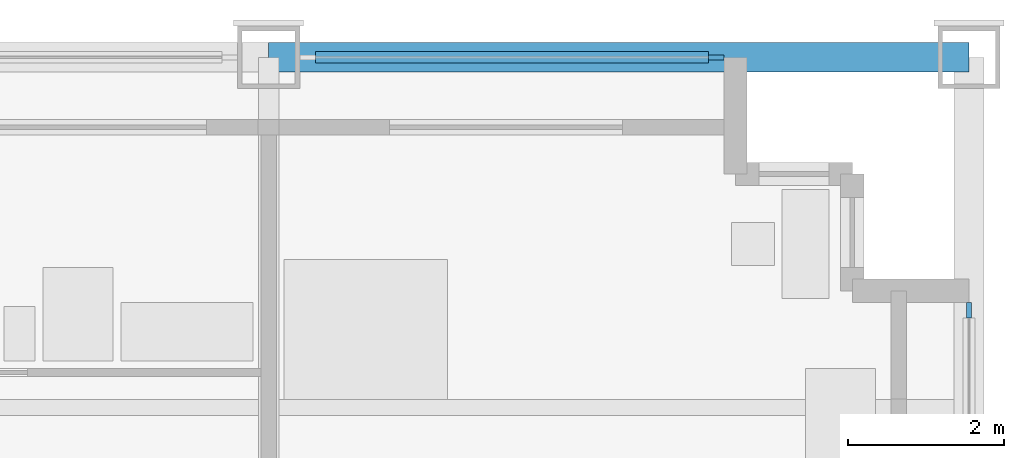
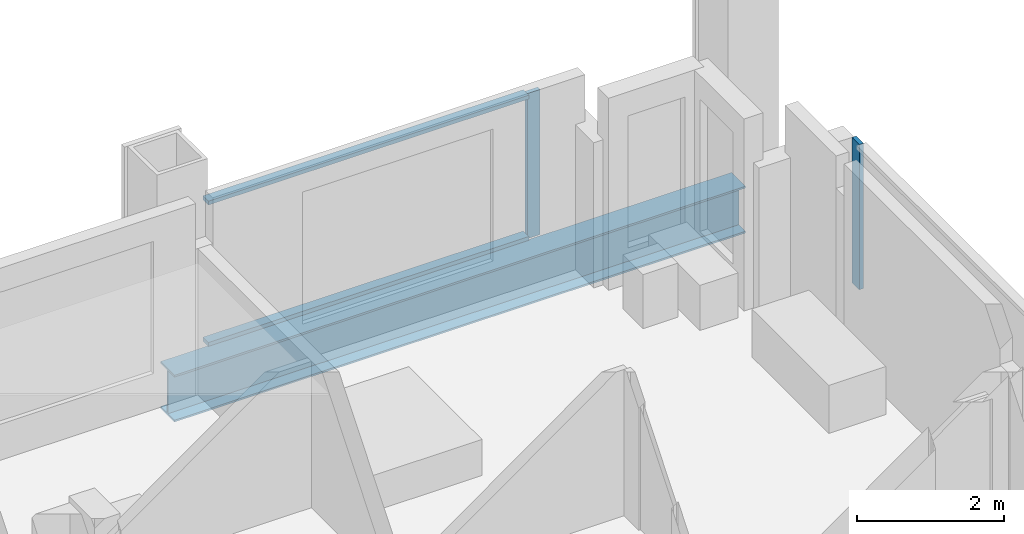
# One storey, part 7 of 16: 4 members, 1 beam, 2 elements without a shape of their own.
"""IFC4 building model written with IfcOpenShell, lengths in metres."""

from ifc_helpers import new_model, si_unit, direction, frame, origin, origin_2d, place, context, subcontext, project, spatial, rectangle, i_section, extrude, material, material_profile, profile_set, type_object, element, aggregate, save


model = new_model("IFC4")

# Units and contexts
model_context = context("Model", 3, precision=1e-05, world=origin(), true_north=direction((0.0, 1.0)))
body_context = subcontext(model_context, "Body", "Model", "MODEL_VIEW")
ifc_project = project(units=[si_unit("LENGTHUNIT", "METRE"), si_unit("AREAUNIT", "SQUARE_METRE"), si_unit("VOLUMEUNIT", "CUBIC_METRE"), si_unit("PLANEANGLEUNIT", "RADIAN"), si_unit("MASSUNIT", "GRAM", prefix="KILO")], contexts=[model_context])

# Site, building, storey
site_placement = place(None, origin())
site = spatial("IfcSite", under=ifc_project, at=site_placement, CompositionType="ELEMENT")
building_placement = place(site_placement, origin())
building = spatial("IfcBuilding", under=site, at=building_placement, Name="Loomwork Tower", CompositionType="ELEMENT")
storey_placement = place(building_placement, frame((0.0, 0.0, 135.0)))
storey = spatial("IfcBuildingStorey", under=building, at=storey_placement, Name="L36", CompositionType="ELEMENT", Elevation=135.0)

# Curtain wall, member
ifc_material_1 = material(Name="Aluminium curtain wall frame", Category="aluminium")
curtain_wall_type = type_object("IfcCurtainWallType", Name="Outer skin glazing hotel", PredefinedType="NOTDEFINED", material=ifc_material_1)
curtain_wall_1_placement = place(storey_placement, origin())
curtain_wall_1 = element("IfcCurtainWall", 1, at=curtain_wall_1_placement, inside=storey, type_object=curtain_wall_type, Name="Outer skin glazing hotel cw/N-36", PredefinedType="NOTDEFINED")
ifc_material_2 = material(Name="Aluminium curtain wall frame", Category="aluminium")
ifc_material_profile_1 = material_profile(ifc_material_2, rectangle(XDim=0.06494140625, YDim=0.199951171875, at=origin_2d()), Name="AL 65x200")
ifc_profile_set_1 = profile_set([ifc_material_profile_1], Name="Aluminium curtain wall frame")
member_type_1 = type_object("IfcMemberType", Name="Outer skin glazing hotel mullion", PredefinedType="MULLION", material=ifc_profile_set_1)
member_1_placement = place(storey_placement, frame((41.75, 36.0, 0.0), z_axis=(0.0, 0.0, 1.0), x_axis=(0.0, -1.0, 0.0)))
member_1 = element("IfcMember", 2, at=member_1_placement, type_object=member_type_1, Name="CW1 mullion 1", PredefinedType="MULLION", context=body_context, shape_type="SweptSolid", body=[
    extrude(rectangle(XDim=0.06494140625, YDim=0.199951171875, at=origin_2d()), origin(), (0.0, 0.0, 1.0), 2.420166015625),
])

curtain_wall_2_placement = place(storey_placement, origin())
curtain_wall_2 = element("IfcCurtainWall", 3, at=curtain_wall_2_placement, inside=storey, type_object=curtain_wall_type, Name="Outer skin glazing hotel cw/E-27", PredefinedType="NOTDEFINED")
member_2_placement = place(storey_placement, frame((45.0, 32.75, 0.0), z_axis=(0.0, 0.0, 1.0), x_axis=(-1.0, 0.0, 0.0)))
member_2 = element("IfcMember", 4, at=member_2_placement, type_object=member_type_1, Name="CW1 mullion 2", PredefinedType="MULLION", context=body_context, shape_type="SweptSolid", body=[
    extrude(rectangle(XDim=0.06494140625, YDim=0.199951171875, at=origin_2d()), origin(), (0.0, 0.0, 1.0), 2.420166015625),
])
aggregate(curtain_wall_2, [member_2])

# Member
ifc_material_3 = material(Name="Aluminium curtain wall frame", Category="aluminium")
ifc_material_profile_2 = material_profile(ifc_material_3, rectangle(XDim=0.14990234375, YDim=0.06494140625, at=origin_2d()), Name="AL 65x150")
ifc_profile_set_2 = profile_set([ifc_material_profile_2], Name="Aluminium curtain wall frame")
member_type_2 = type_object("IfcMemberType", Name="Outer skin glazing hotel transom", PredefinedType="USERDEFINED", material=ifc_profile_set_2)
member_3_placement = place(storey_placement, frame((41.64990234375, 36.0, 0.032470703125), z_axis=(-1.0, 0.0, 0.0), x_axis=(0.0, -1.0, 0.0)))
member_3 = element("IfcMember", 5, at=member_3_placement, type_object=member_type_2, Name="CW1 transom 1.1", ObjectType="TRANSOM", PredefinedType="USERDEFINED", context=body_context, shape_type="SweptSolid", body=[
    extrude(rectangle(XDim=0.14990234375, YDim=0.06494140625, at=origin_2d()), origin(), (0.0, 0.0, 1.0), 5.0498046875),
])

member_4_placement = place(storey_placement, frame((41.64990234375, 36.0, 2.3876953125), z_axis=(-1.0, 0.0, 0.0), x_axis=(0.0, -1.0, 0.0)))
member_4 = element("IfcMember", 6, at=member_4_placement, type_object=member_type_2, Name="CW1 transom 1.2", ObjectType="TRANSOM", PredefinedType="USERDEFINED", context=body_context, shape_type="SweptSolid", body=[
    extrude(rectangle(XDim=0.14990234375, YDim=0.06494140625, at=origin_2d()), origin(), (0.0, 0.0, 1.0), 5.0498046875),
])

aggregate(curtain_wall_1, [member_1, member_3, member_4])

# Beam
ifc_material_4 = material(Name="Steel ASTM A992", Category="steel")
ifc_material_profile_3 = material_profile(ifc_material_4, i_section(OverallWidth=0.381103515625, OverallDepth=0.77978515625, WebThickness=0.01806640625, FlangeThickness=0.0302734375, at=origin_2d()), Name="W30x191")
ifc_profile_set_3 = profile_set([ifc_material_profile_3], Name="Steel ASTM A992")
beam_type = type_object("IfcBeamType", Name="SPANDREL GIRDER W30x191", PredefinedType="SPANDREL", material=ifc_profile_set_3)
beam_placement = place(storey_placement, frame((36.0, 36.0, -0.58984375), z_axis=(1.0, 0.0, 0.0), x_axis=(0.0, 1.0, 0.0)))
element("IfcBeam", 7, at=beam_placement, inside=storey, type_object=beam_type, Name="Spandrel Girder H/6-H/7 L36", PredefinedType="SPANDREL", context=body_context, shape_type="SweptSolid", body=[
    extrude(i_section(OverallWidth=0.381103515625, OverallDepth=0.77978515625, WebThickness=0.01806640625, FlangeThickness=0.0302734375, at=origin_2d()), origin(), (0.0, 0.0, 1.0), 9.0),
])

save(model, "model.ifc")
